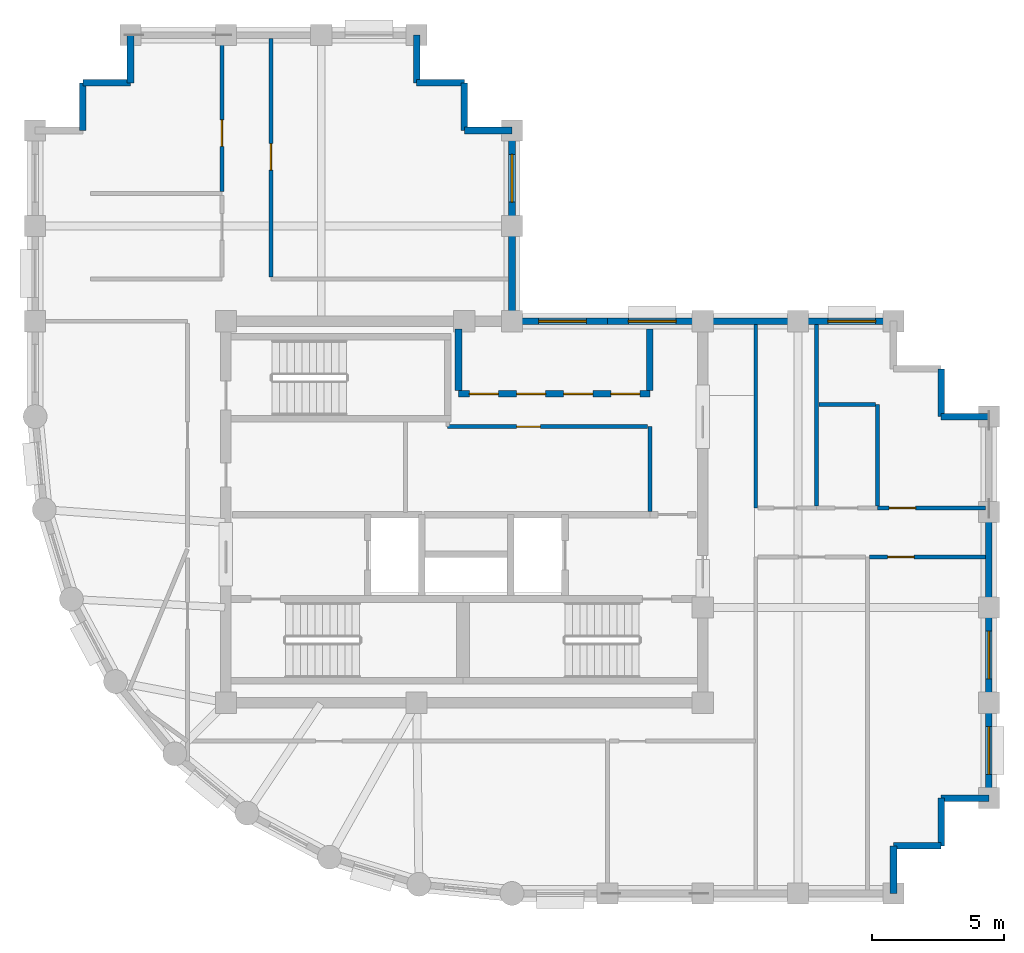
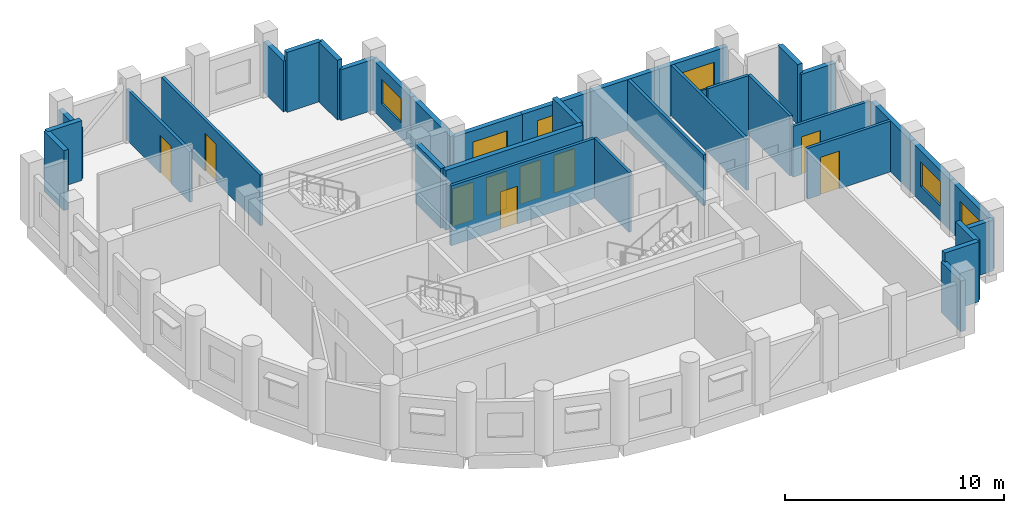
# One storey, part 4 of 7: 35 walls, 9 doors, 6 windows, 15 openings.
"""IFC4 building model written with IfcOpenShell, lengths in metres."""

from ifc_helpers import new_model, si_unit, direction, frame, frame_2d, origin, place, context, subcontext, project, spatial, rectangle, extrude, material, layer, layer_set, type_object, element, fill, save


model = new_model("IFC4")

# Units and contexts
model_context = context("Model", 3, precision=1e-05, world=origin(), true_north=direction((0.0, 1.0)))
body_context = subcontext(model_context, "Body", "Model", "MODEL_VIEW")
ifc_project = project(units=[si_unit("LENGTHUNIT", "METRE"), si_unit("AREAUNIT", "SQUARE_METRE"), si_unit("VOLUMEUNIT", "CUBIC_METRE"), si_unit("PLANEANGLEUNIT", "RADIAN"), si_unit("MASSUNIT", "GRAM", prefix="KILO")], contexts=[model_context])

# Site, building, storey
site_placement = place(None, origin())
site = spatial("IfcSite", under=ifc_project, at=site_placement, CompositionType="ELEMENT")
building_placement = place(site_placement, origin())
building = spatial("IfcBuilding", under=site, at=building_placement, Name="Solnavia Interchange Tower", CompositionType="ELEMENT")
storey_placement = place(building_placement, frame((0.0, 0.0, 259.39990234375)))
storey = spatial("IfcBuildingStorey", under=building, at=storey_placement, Name="L65", CompositionType="ELEMENT", Elevation=259.39990234375)

# Walls
ifc_material_1 = material(Name="Concrete C40/50", Category="concrete")
ifc_layer_1 = layer(ifc_material_1, 0.25)
ifc_layer_set_1 = layer_set([ifc_layer_1], Name="Concrete C40/50")
wall_type_1 = type_object("IfcWallType", Name="Wall-ExtSpandrel-250", PredefinedType="STANDARD", material=ifc_layer_set_1)
wall_1_placement = place(storey_placement, frame((39.60009765625, 5.39990234375, 0.0), z_axis=(0.0, 0.0, 1.0), x_axis=(0.0, -1.0, 0.0)))
element("IfcWall", 1, at=wall_1_placement, inside=storey, type_object=wall_type_1, Name="EXW-L65-05 Exterior precast spandrel wall", PredefinedType="STANDARD", context=body_context, shape_type="SweptSolid", body=[
    extrude(rectangle(XDim=1.7998046875, YDim=0.25, at=frame_2d((0.89990234375, 0.0))), origin(), (0.0, 0.0, 1.0), 2.830078125),
])
wall_2_placement = place(storey_placement, frame((41.39990234375, 5.39990234375, 0.0), z_axis=(0.0, 0.0, 1.0), x_axis=(-1.0, 0.0, 0.0)))
element("IfcWall", 2, at=wall_2_placement, inside=storey, type_object=wall_type_1, Name="EXW-L65-06 Exterior precast spandrel wall", PredefinedType="STANDARD", context=body_context, shape_type="SweptSolid", body=[
    extrude(rectangle(XDim=1.7998046875, YDim=0.25, at=frame_2d((0.89990234375, 0.0))), origin(), (0.0, 0.0, 1.0), 3.335205078125),
])
wall_3_placement = place(storey_placement, frame((41.39990234375, 7.199951171875, 0.0), z_axis=(0.0, 0.0, 1.0), x_axis=(0.0, -1.0, 0.0)))
element("IfcWall", 3, at=wall_3_placement, inside=storey, type_object=wall_type_1, Name="EXW-L65-07 Exterior precast spandrel wall", PredefinedType="STANDARD", context=body_context, shape_type="SweptSolid", body=[
    extrude(rectangle(XDim=1.800048828125, YDim=0.25, at=frame_2d((0.89990234375, 0.0))), origin(), (0.0, 0.0, 1.0), 3.335205078125),
])
wall_4_placement = place(storey_placement, frame((43.199951171875, 7.199951171875, 0.0), z_axis=(0.0, 0.0, 1.0), x_axis=(-1.0, 0.0, 0.0)))
element("IfcWall", 4, at=wall_4_placement, inside=storey, type_object=wall_type_1, Name="EXW-L65-08 Exterior precast spandrel wall", PredefinedType="STANDARD", context=body_context, shape_type="SweptSolid", body=[
    extrude(rectangle(XDim=1.800048828125, YDim=0.25, at=frame_2d((0.89990234375, 0.0))), origin(), (0.0, 0.0, 1.0), 2.830078125),
])

# Wall, opening, window
wall_5_placement = place(storey_placement, frame((43.199951171875, 10.800048828125, 0.0), z_axis=(0.0, 0.0, 1.0), x_axis=(0.0, -1.0, 0.0)))
wall_5 = element("IfcWall", 5, at=wall_5_placement, inside=storey, type_object=wall_type_1, Name="EXW-L65-09 Exterior precast spandrel wall", PredefinedType="STANDARD", context=body_context, shape_type="SweptSolid", body=[
    extrude(rectangle(XDim=3.60009765625, YDim=0.25, at=frame_2d((1.800048828125, 0.0))), origin(), (0.0, 0.0, 1.0), 2.830078125),
])
opening_1_placement = place(wall_5_placement, frame((0.89990234375, 0.0, 0.85009765625)))
opening_1 = element("IfcOpeningElement", 6, at=opening_1_placement, cuts=wall_5, Name="Opening WIN-02", PredefinedType="OPENING", context=body_context, shape_type="SweptSolid", body=[
    extrude(rectangle(XDim=1.800048828125, YDim=1.35009765625, at=frame_2d((0.89990234375, 0.675048828125))), frame((0.0, 0.135009765625, 0.0), z_axis=(0.0, -1.0, 0.0), x_axis=(1.0, 0.0, 0.0)), (0.0, 0.0, 1.0), 0.27001953125),
])
ifc_material_2 = material(Name="Thermal-Break Aluminium & Low-E Glass", Category="aluminium")
window_type = type_object("IfcWindowType", Name="Window-Ribbon-1800x1350", PartitioningType="SINGLE_PANEL", PredefinedType="WINDOW", material=ifc_material_2)
window_1_placement = place(opening_1_placement, origin())
window_1 = element("IfcWindow", 7, at=window_1_placement, inside=storey, type_object=window_type, Name="WIN-L65-09 Facade ribbon window", OverallHeight=1.35009765625, OverallWidth=1.800048828125, PartitioningType="SINGLE_PANEL", PredefinedType="WINDOW", context=body_context, shape_type="SweptSolid", body=[
    extrude(rectangle(XDim=1.800048828125, YDim=1.35009765625, at=frame_2d((0.89990234375, 0.675048828125))), frame((0.0, 0.030029296875, 0.0), z_axis=(0.0, -1.0, 0.0), x_axis=(1.0, 0.0, 0.0)), (0.0, 0.0, 1.0), 0.06005859375),
])
fill(opening_1, window_1)

wall_6_placement = place(storey_placement, frame((43.199951171875, 14.39990234375, 0.0), z_axis=(0.0, 0.0, 1.0), x_axis=(0.0, -1.0, 0.0)))
wall_6 = element("IfcWall", 8, at=wall_6_placement, inside=storey, type_object=wall_type_1, Name="EXW-L65-10 Exterior precast spandrel wall", PredefinedType="STANDARD", context=body_context, shape_type="SweptSolid", body=[
    extrude(rectangle(XDim=3.599853515625, YDim=0.25, at=frame_2d((1.7998046875, 0.0))), origin(), (0.0, 0.0, 1.0), 2.830078125),
])
opening_2_placement = place(wall_6_placement, frame((0.89990234375, 0.0, 0.85009765625)))
opening_2 = element("IfcOpeningElement", 9, at=opening_2_placement, cuts=wall_6, Name="Opening WIN-02", PredefinedType="OPENING", context=body_context, shape_type="SweptSolid", body=[
    extrude(rectangle(XDim=1.800048828125, YDim=1.35009765625, at=frame_2d((0.89990234375, 0.675048828125))), frame((0.0, 0.135009765625, 0.0), z_axis=(0.0, -1.0, 0.0), x_axis=(1.0, 0.0, 0.0)), (0.0, 0.0, 1.0), 0.27001953125),
])
window_2_placement = place(opening_2_placement, origin())
window_2 = element("IfcWindow", 10, at=window_2_placement, inside=storey, type_object=window_type, Name="WIN-L65-10 Facade ribbon window", OverallHeight=1.35009765625, OverallWidth=1.800048828125, PartitioningType="SINGLE_PANEL", PredefinedType="WINDOW", context=body_context, shape_type="SweptSolid", body=[
    extrude(rectangle(XDim=1.800048828125, YDim=1.35009765625, at=frame_2d((0.89990234375, 0.675048828125))), frame((0.0, 0.030029296875, 0.0), z_axis=(0.0, -1.0, 0.0), x_axis=(1.0, 0.0, 0.0)), (0.0, 0.0, 1.0), 0.06005859375),
])
fill(opening_2, window_2)

# Walls
wall_7_placement = place(storey_placement, frame((43.199951171875, 18.0, 0.0), z_axis=(0.0, 0.0, 1.0), x_axis=(0.0, -1.0, 0.0)))
element("IfcWall", 11, at=wall_7_placement, inside=storey, type_object=wall_type_1, Name="EXW-L65-11 Exterior precast spandrel wall", PredefinedType="STANDARD", context=body_context, shape_type="SweptSolid", body=[
    extrude(rectangle(XDim=3.60009765625, YDim=0.25, at=frame_2d((1.800048828125, 0.0))), origin(), (0.0, 0.0, 1.0), 2.830078125),
])
wall_8_placement = place(storey_placement, frame((41.39990234375, 21.60009765625, 0.0), z_axis=(0.0, 0.0, 1.0), x_axis=(1.0, 0.0, 0.0)))
element("IfcWall", 12, at=wall_8_placement, inside=storey, type_object=wall_type_1, Name="EXW-L65-13 Exterior precast spandrel wall", PredefinedType="STANDARD", context=body_context, shape_type="SweptSolid", body=[
    extrude(rectangle(XDim=1.800048828125, YDim=0.25, at=frame_2d((0.89990234375, 0.0))), origin(), (0.0, 0.0, 1.0), 2.830078125),
])
wall_9_placement = place(storey_placement, frame((41.39990234375, 23.39990234375, 0.0), z_axis=(0.0, 0.0, 1.0), x_axis=(0.0, -1.0, 0.0)))
element("IfcWall", 13, at=wall_9_placement, inside=storey, type_object=wall_type_1, Name="EXW-L65-14 Exterior precast spandrel wall", PredefinedType="STANDARD", context=body_context, shape_type="SweptSolid", body=[
    extrude(rectangle(XDim=1.7998046875, YDim=0.25, at=frame_2d((0.89990234375, 0.0))), origin(), (0.0, 0.0, 1.0), 3.335205078125),
])

# Wall, opening, window
wall_10_placement = place(storey_placement, frame((36.0, 25.199951171875, 0.0), z_axis=(0.0, 0.0, 1.0), x_axis=(1.0, 0.0, 0.0)))
wall_10 = element("IfcWall", 14, at=wall_10_placement, inside=storey, type_object=wall_type_1, Name="EXW-L65-17 Exterior precast spandrel wall", PredefinedType="STANDARD", context=body_context, shape_type="SweptSolid", body=[
    extrude(rectangle(XDim=3.60009765625, YDim=0.25, at=frame_2d((1.800048828125, 0.0))), origin(), (0.0, 0.0, 1.0), 2.830078125),
])
opening_3_placement = place(wall_10_placement, frame((1.1201171875, 0.0, 0.85009765625)))
opening_3 = element("IfcOpeningElement", 15, at=opening_3_placement, cuts=wall_10, Name="Opening WIN-02", PredefinedType="OPENING", context=body_context, shape_type="SweptSolid", body=[
    extrude(rectangle(XDim=1.800048828125, YDim=1.35009765625, at=frame_2d((0.89990234375, 0.675048828125))), frame((0.0, 0.135009765625, 0.0), z_axis=(0.0, -1.0, 0.0), x_axis=(1.0, 0.0, 0.0)), (0.0, 0.0, 1.0), 0.27001953125),
])
window_3_placement = place(opening_3_placement, origin())
window_3 = element("IfcWindow", 16, at=window_3_placement, inside=storey, type_object=window_type, Name="WIN-L65-17 Facade ribbon window", OverallHeight=1.35009765625, OverallWidth=1.800048828125, PartitioningType="SINGLE_PANEL", PredefinedType="WINDOW", context=body_context, shape_type="SweptSolid", body=[
    extrude(rectangle(XDim=1.800048828125, YDim=1.35009765625, at=frame_2d((0.89990234375, 0.675048828125))), frame((0.0, 0.030029296875, 0.0), z_axis=(0.0, -1.0, 0.0), x_axis=(1.0, 0.0, 0.0)), (0.0, 0.0, 1.0), 0.06005859375),
])
fill(opening_3, window_3)

# Wall
wall_11_placement = place(storey_placement, frame((32.39990234375, 25.199951171875, 0.0), z_axis=(0.0, 0.0, 1.0), x_axis=(1.0, 0.0, 0.0)))
element("IfcWall", 17, at=wall_11_placement, inside=storey, type_object=wall_type_1, Name="EXW-L65-18 Exterior precast spandrel wall", PredefinedType="STANDARD", context=body_context, shape_type="SweptSolid", body=[
    extrude(rectangle(XDim=3.60009765625, YDim=0.25, at=frame_2d((1.800048828125, 0.0))), origin(), (0.0, 0.0, 1.0), 2.830078125),
])

# Wall, opening, window
wall_12_placement = place(storey_placement, frame((28.800048828125, 25.199951171875, 0.0), z_axis=(0.0, 0.0, 1.0), x_axis=(1.0, 0.0, 0.0)))
wall_12 = element("IfcWall", 18, at=wall_12_placement, inside=storey, type_object=wall_type_1, Name="EXW-L65-19 Exterior precast spandrel wall", PredefinedType="STANDARD", context=body_context, shape_type="SweptSolid", body=[
    extrude(rectangle(XDim=3.599853515625, YDim=0.25, at=frame_2d((1.7998046875, 0.0))), origin(), (0.0, 0.0, 1.0), 2.830078125),
])
opening_4_placement = place(wall_12_placement, frame((0.794921875, 0.0, 0.85009765625)))
opening_4 = element("IfcOpeningElement", 19, at=opening_4_placement, cuts=wall_12, Name="Opening WIN-02", PredefinedType="OPENING", context=body_context, shape_type="SweptSolid", body=[
    extrude(rectangle(XDim=1.800048828125, YDim=1.35009765625, at=frame_2d((0.89990234375, 0.675048828125))), frame((0.0, 0.135009765625, 0.0), z_axis=(0.0, -1.0, 0.0), x_axis=(1.0, 0.0, 0.0)), (0.0, 0.0, 1.0), 0.27001953125),
])
window_4_placement = place(opening_4_placement, origin())
window_4 = element("IfcWindow", 20, at=window_4_placement, inside=storey, type_object=window_type, Name="WIN-L65-19 Facade ribbon window", OverallHeight=1.35009765625, OverallWidth=1.800048828125, PartitioningType="SINGLE_PANEL", PredefinedType="WINDOW", context=body_context, shape_type="SweptSolid", body=[
    extrude(rectangle(XDim=1.800048828125, YDim=1.35009765625, at=frame_2d((0.89990234375, 0.675048828125))), frame((0.0, 0.030029296875, 0.0), z_axis=(0.0, -1.0, 0.0), x_axis=(1.0, 0.0, 0.0)), (0.0, 0.0, 1.0), 0.06005859375),
])
fill(opening_4, window_4)

wall_13_placement = place(storey_placement, frame((25.199951171875, 25.199951171875, 0.0), z_axis=(0.0, 0.0, 1.0), x_axis=(1.0, 0.0, 0.0)))
wall_13 = element("IfcWall", 21, at=wall_13_placement, inside=storey, type_object=wall_type_1, Name="EXW-L65-20 Exterior precast spandrel wall", PredefinedType="STANDARD", context=body_context, shape_type="SweptSolid", body=[
    extrude(rectangle(XDim=3.60009765625, YDim=0.25, at=frame_2d((1.800048828125, 0.0))), origin(), (0.0, 0.0, 1.0), 2.830078125),
])
opening_5_placement = place(wall_13_placement, frame((1.0048828125, 0.0, 0.85009765625)))
opening_5 = element("IfcOpeningElement", 22, at=opening_5_placement, cuts=wall_13, Name="Opening WIN-02", PredefinedType="OPENING", context=body_context, shape_type="SweptSolid", body=[
    extrude(rectangle(XDim=1.800048828125, YDim=1.35009765625, at=frame_2d((0.89990234375, 0.675048828125))), frame((0.0, 0.135009765625, 0.0), z_axis=(0.0, -1.0, 0.0), x_axis=(1.0, 0.0, 0.0)), (0.0, 0.0, 1.0), 0.27001953125),
])
window_5_placement = place(opening_5_placement, origin())
window_5 = element("IfcWindow", 23, at=window_5_placement, inside=storey, type_object=window_type, Name="WIN-L65-20 Facade ribbon window", OverallHeight=1.35009765625, OverallWidth=1.800048828125, PartitioningType="SINGLE_PANEL", PredefinedType="WINDOW", context=body_context, shape_type="SweptSolid", body=[
    extrude(rectangle(XDim=1.800048828125, YDim=1.35009765625, at=frame_2d((0.89990234375, 0.675048828125))), frame((0.0, 0.030029296875, 0.0), z_axis=(0.0, -1.0, 0.0), x_axis=(1.0, 0.0, 0.0)), (0.0, 0.0, 1.0), 0.06005859375),
])
fill(opening_5, window_5)

# Wall
wall_14_placement = place(storey_placement, frame((25.199951171875, 28.800048828125, 0.0), z_axis=(0.0, 0.0, 1.0), x_axis=(0.0, -1.0, 0.0)))
element("IfcWall", 24, at=wall_14_placement, inside=storey, type_object=wall_type_1, Name="EXW-L65-21 Exterior precast spandrel wall", PredefinedType="STANDARD", context=body_context, shape_type="SweptSolid", body=[
    extrude(rectangle(XDim=3.60009765625, YDim=0.25, at=frame_2d((1.800048828125, 0.0))), origin(), (0.0, 0.0, 1.0), 2.830078125),
])

# Wall, opening, window
wall_15_placement = place(storey_placement, frame((25.199951171875, 32.39990234375, 0.0), z_axis=(0.0, 0.0, 1.0), x_axis=(0.0, -1.0, 0.0)))
wall_15 = element("IfcWall", 25, at=wall_15_placement, inside=storey, type_object=wall_type_1, Name="EXW-L65-22 Exterior precast spandrel wall", PredefinedType="STANDARD", context=body_context, shape_type="SweptSolid", body=[
    extrude(rectangle(XDim=3.599853515625, YDim=0.25, at=frame_2d((1.7998046875, 0.0))), origin(), (0.0, 0.0, 1.0), 2.830078125),
])
opening_6_placement = place(wall_15_placement, frame((0.89990234375, 0.0, 0.85009765625)))
opening_6 = element("IfcOpeningElement", 26, at=opening_6_placement, cuts=wall_15, Name="Opening WIN-02", PredefinedType="OPENING", context=body_context, shape_type="SweptSolid", body=[
    extrude(rectangle(XDim=1.800048828125, YDim=1.35009765625, at=frame_2d((0.89990234375, 0.675048828125))), frame((0.0, 0.135009765625, 0.0), z_axis=(0.0, -1.0, 0.0), x_axis=(1.0, 0.0, 0.0)), (0.0, 0.0, 1.0), 0.27001953125),
])
window_6_placement = place(opening_6_placement, origin())
window_6 = element("IfcWindow", 27, at=window_6_placement, inside=storey, type_object=window_type, Name="WIN-L65-22 Facade ribbon window", OverallHeight=1.35009765625, OverallWidth=1.800048828125, PartitioningType="SINGLE_PANEL", PredefinedType="WINDOW", context=body_context, shape_type="SweptSolid", body=[
    extrude(rectangle(XDim=1.800048828125, YDim=1.35009765625, at=frame_2d((0.89990234375, 0.675048828125))), frame((0.0, 0.030029296875, 0.0), z_axis=(0.0, -1.0, 0.0), x_axis=(1.0, 0.0, 0.0)), (0.0, 0.0, 1.0), 0.06005859375),
])
fill(opening_6, window_6)

# Walls
wall_16_placement = place(storey_placement, frame((23.39990234375, 32.39990234375, 0.0), z_axis=(0.0, 0.0, 1.0), x_axis=(1.0, 0.0, 0.0)))
element("IfcWall", 28, at=wall_16_placement, inside=storey, type_object=wall_type_1, Name="EXW-L65-23 Exterior precast spandrel wall", PredefinedType="STANDARD", context=body_context, shape_type="SweptSolid", body=[
    extrude(rectangle(XDim=1.800048828125, YDim=0.25, at=frame_2d((0.89990234375, 0.0))), origin(), (0.0, 0.0, 1.0), 2.830078125),
])
wall_17_placement = place(storey_placement, frame((23.39990234375, 32.39990234375, 0.0), z_axis=(0.0, 0.0, 1.0), x_axis=(0.0, 1.0, 0.0)))
element("IfcWall", 29, at=wall_17_placement, inside=storey, type_object=wall_type_1, Name="EXW-L65-24 Exterior precast spandrel wall", PredefinedType="STANDARD", context=body_context, shape_type="SweptSolid", body=[
    extrude(rectangle(XDim=1.800048828125, YDim=0.25, at=frame_2d((0.89990234375, 0.0))), origin(), (0.0, 0.0, 1.0), 3.335205078125),
])
wall_18_placement = place(storey_placement, frame((21.60009765625, 34.199951171875, 0.0), z_axis=(0.0, 0.0, 1.0), x_axis=(1.0, 0.0, 0.0)))
element("IfcWall", 30, at=wall_18_placement, inside=storey, type_object=wall_type_1, Name="EXW-L65-25 Exterior precast spandrel wall", PredefinedType="STANDARD", context=body_context, shape_type="SweptSolid", body=[
    extrude(rectangle(XDim=1.7998046875, YDim=0.25, at=frame_2d((0.89990234375, 0.0))), origin(), (0.0, 0.0, 1.0), 3.335205078125),
])
for number, where, z_axis, x_axis, name in (
    (31, (21.60009765625, 34.199951171875, 0.0), (0.0, 0.0, 1.0), (0.0, 1.0, 0.0), "EXW-L65-26 Exterior precast spandrel wall"),
    (32, (10.800048828125, 34.199951171875, 0.0), (0.0, 0.0, 1.0), (0.0, 1.0, 0.0), "EXW-L65-30 Exterior precast spandrel wall"),
):
    element("IfcWall", number, at=place(storey_placement, frame(where, z_axis=z_axis, x_axis=x_axis)), inside=storey, type_object=wall_type_1, Name=name, PredefinedType="STANDARD", context=body_context, shape_type="SweptSolid", body=[
        extrude(rectangle(XDim=1.800048828125, YDim=0.25, at=frame_2d((0.89990234375, 0.0))), origin(), (0.0, 0.0, 1.0), 2.830078125),
    ])
for number, where, z_axis, x_axis, name in (
    (33, (9.0, 34.199951171875, 0.0), (0.0, 0.0, 1.0), (1.0, 0.0, 0.0), "EXW-L65-31 Exterior precast spandrel wall"),
    (34, (9.0, 32.39990234375, 0.0), (0.0, 0.0, 1.0), (0.0, 1.0, 0.0), "EXW-L65-32 Exterior precast spandrel wall"),
):
    element("IfcWall", number, at=place(storey_placement, frame(where, z_axis=z_axis, x_axis=x_axis)), inside=storey, type_object=wall_type_1, Name=name, PredefinedType="STANDARD", context=body_context, shape_type="SweptSolid", body=[
        extrude(rectangle(XDim=1.800048828125, YDim=0.25, at=frame_2d((0.89990234375, 0.0))), origin(), (0.0, 0.0, 1.0), 3.335205078125),
    ])

# Wall, opening, door
ifc_material_3 = material(Name="Gypsum Plasterboard & Steel Stud", Category="steel")
ifc_layer_2 = layer(ifc_material_3, 0.14990234375)
ifc_layer_set_2 = layer_set([ifc_layer_2], Name="Gypsum Plasterboard & Steel Stud")
wall_type_2 = type_object("IfcWallType", Name="Wall-Partition-150", PredefinedType="PARTITIONING", material=ifc_layer_set_2)
wall_19_placement = place(storey_placement, frame((22.77490234375, 21.219970703125, 0.0), z_axis=(0.0, 0.0, 1.0), x_axis=(1.0, 0.0, 0.0)))
wall_19 = element("IfcWall", 35, at=wall_19_placement, inside=storey, type_object=wall_type_2, Name="CSW-L65-N-ALL Core shaft wall", PredefinedType="PARTITIONING", context=body_context, shape_type="SweptSolid", body=[
    extrude(rectangle(XDim=7.545166015625, YDim=0.14990234375, at=frame_2d((3.7724609375, 0.0))), origin(), (0.0, 0.0, 1.0), 3.335205078125),
])
opening_7_placement = place(wall_19_placement, frame((2.60009765625, 0.0, 0.0)))
opening_7 = element("IfcOpeningElement", 36, at=opening_7_placement, cuts=wall_19, Name="Opening DR-09", PredefinedType="OPENING", context=body_context, shape_type="SweptSolid", body=[
    extrude(rectangle(XDim=0.89990234375, YDim=2.10009765625, at=frame_2d((0.449951171875, 1.050048828125))), frame((0.0, 0.0849609375, 0.0), z_axis=(0.0, -1.0, 0.0), x_axis=(1.0, 0.0, 0.0)), (0.0, 0.0, 1.0), 0.169921875),
])
ifc_material_4 = material(Name="Engineered Oak Veneer Door", Category="wood")
door_type_1 = type_object("IfcDoorType", Name="Door-Internal-900x2100", OperationType="SINGLE_SWING_LEFT", PredefinedType="DOOR", material=ifc_material_4)
door_1_placement = place(opening_7_placement, origin())
door_1 = element("IfcDoor", 37, at=door_1_placement, inside=storey, type_object=door_type_1, Name="DR-L65-CS2 Core fire door", OperationType="SINGLE_SWING_RIGHT", OverallHeight=2.10009765625, OverallWidth=0.89990234375, PredefinedType="DOOR", context=body_context, shape_type="SweptSolid", body=[
    extrude(rectangle(XDim=0.89990234375, YDim=2.10009765625, at=frame_2d((0.449951171875, 1.050048828125))), frame((0.0, 0.02490234375, 0.0), z_axis=(0.0, -1.0, 0.0), x_axis=(1.0, 0.0, 0.0)), (0.0, 0.0, 1.0), 0.050048828125),
])
fill(opening_7, door_1)

# Wall
wall_20_placement = place(storey_placement, frame((30.39990234375, 18.02001953125, 0.0), z_axis=(0.0, 0.0, 1.0), x_axis=(0.0, 1.0, 0.0)))
element("IfcWall", 38, at=wall_20_placement, inside=storey, type_object=wall_type_2, Name="CSW-L65-E-E Core shaft wall", PredefinedType="PARTITIONING", context=body_context, shape_type="SweptSolid", body=[
    extrude(rectangle(XDim=3.199951171875, YDim=0.14990234375, at=frame_2d((1.60009765625, 0.0))), origin(), (0.0, 0.0, 1.0), 3.335205078125),
])

# Wall, opening, door
wall_21_placement = place(storey_placement, frame((38.698974609375, 16.300048828125, 0.0), z_axis=(0.0, 0.0, 1.0), x_axis=(1.0, 0.0, 0.0)))
wall_21 = element("IfcWall", 39, at=wall_21_placement, inside=storey, type_object=wall_type_2, Name="PTW-L65-18 Interior partition wall", PredefinedType="PARTITIONING", context=body_context, shape_type="SweptSolid", body=[
    extrude(rectangle(XDim=4.3720703125, YDim=0.14990234375, at=frame_2d((2.18603515625, 0.0))), origin(), (0.0, 0.0, 1.0), 2.830078125),
])
opening_8_placement = place(wall_21_placement, frame((0.677978515625, 0.0, 0.0)))
opening_8 = element("IfcOpeningElement", 40, at=opening_8_placement, cuts=wall_21, Name="Opening DR-07", PredefinedType="OPENING", context=body_context, shape_type="SweptSolid", body=[
    extrude(rectangle(XDim=1.0, YDim=2.10009765625, at=frame_2d((0.5, 1.050048828125))), frame((0.0, 0.0849609375, 0.0), z_axis=(0.0, -1.0, 0.0), x_axis=(1.0, 0.0, 0.0)), (0.0, 0.0, 1.0), 0.169921875),
])
ifc_material_5 = material(Name="Timber & Acoustic Glazed Office Door", Category="wood")
door_type_2 = type_object("IfcDoorType", Name="Door-Office-1000x2100", OperationType="SINGLE_SWING_RIGHT", PredefinedType="DOOR", material=ifc_material_5)
door_2_placement = place(opening_8_placement, origin())
door_2 = element("IfcDoor", 41, at=door_2_placement, inside=storey, type_object=door_type_2, Name="DR-L65-08 Interior room door", OperationType="SINGLE_SWING_RIGHT", OverallHeight=2.10009765625, OverallWidth=1.0, PredefinedType="DOOR", context=body_context, shape_type="SweptSolid", body=[
    extrude(rectangle(XDim=1.0, YDim=2.10009765625, at=frame_2d((0.5, 1.050048828125))), frame((0.0, 0.02490234375, 0.0), z_axis=(0.0, -1.0, 0.0), x_axis=(1.0, 0.0, 0.0)), (0.0, 0.0, 1.0), 0.050048828125),
])
fill(opening_8, door_2)

wall_22_placement = place(storey_placement, frame((39.0, 18.14990234375, 0.0), z_axis=(0.0, 0.0, 1.0), x_axis=(1.0, 0.0, 0.0)))
wall_22 = element("IfcWall", 42, at=wall_22_placement, inside=storey, type_object=wall_type_2, Name="PTW-L65-19 Interior partition wall", PredefinedType="PARTITIONING", context=body_context, shape_type="SweptSolid", body=[
    extrude(rectangle(XDim=4.071044921875, YDim=0.14990234375, at=frame_2d((2.03564453125, 0.0))), origin(), (0.0, 0.0, 1.0), 2.830078125),
])
opening_9_placement = place(wall_22_placement, frame((0.43798828125, 0.0, 0.0)))
opening_9 = element("IfcOpeningElement", 43, at=opening_9_placement, cuts=wall_22, Name="Opening DR-07", PredefinedType="OPENING", context=body_context, shape_type="SweptSolid", body=[
    extrude(rectangle(XDim=1.0, YDim=2.10009765625, at=frame_2d((0.5, 1.050048828125))), frame((0.0, 0.0849609375, 0.0), z_axis=(0.0, -1.0, 0.0), x_axis=(1.0, 0.0, 0.0)), (0.0, 0.0, 1.0), 0.169921875),
])
door_3_placement = place(opening_9_placement, origin())
door_3 = element("IfcDoor", 44, at=door_3_placement, inside=storey, type_object=door_type_2, Name="DR-L65-09 Interior room door", OperationType="SINGLE_SWING_RIGHT", OverallHeight=2.10009765625, OverallWidth=1.0, PredefinedType="DOOR", context=body_context, shape_type="SweptSolid", body=[
    extrude(rectangle(XDim=1.0, YDim=2.10009765625, at=frame_2d((0.5, 1.050048828125))), frame((0.0, 0.02490234375, 0.0), z_axis=(0.0, -1.0, 0.0), x_axis=(1.0, 0.0, 0.0)), (0.0, 0.0, 1.0), 0.050048828125),
])
fill(opening_9, door_3)

wall_23_placement = place(storey_placement, frame((14.25, 30.09912109375, 0.0), z_axis=(0.0, 0.0, 1.0), x_axis=(0.0, 1.0, 0.0)))
wall_23 = element("IfcWall", 45, at=wall_23_placement, inside=storey, type_object=wall_type_2, Name="PTW-L65-23 Interior partition wall", PredefinedType="PARTITIONING", context=body_context, shape_type="SweptSolid", body=[
    extrude(rectangle(XDim=5.77197265625, YDim=0.14990234375, at=frame_2d((2.885986328125, 0.0))), origin(), (0.0, 0.0, 1.0), 2.830078125),
])
opening_10_placement = place(wall_23_placement, frame((1.700927734375, 0.0, 0.0)))
opening_10 = element("IfcOpeningElement", 46, at=opening_10_placement, cuts=wall_23, Name="Opening DR-07", PredefinedType="OPENING", context=body_context, shape_type="SweptSolid", body=[
    extrude(rectangle(XDim=1.0, YDim=2.10009765625, at=frame_2d((0.5, 1.050048828125))), frame((0.0, 0.0849609375, 0.0), z_axis=(0.0, -1.0, 0.0), x_axis=(1.0, 0.0, 0.0)), (0.0, 0.0, 1.0), 0.169921875),
])
door_4_placement = place(opening_10_placement, origin())
door_4 = element("IfcDoor", 47, at=door_4_placement, inside=storey, type_object=door_type_2, Name="DR-L65-11 Interior room door", OperationType="SINGLE_SWING_RIGHT", OverallHeight=2.10009765625, OverallWidth=1.0, PredefinedType="DOOR", context=body_context, shape_type="SweptSolid", body=[
    extrude(rectangle(XDim=1.0, YDim=2.10009765625, at=frame_2d((0.5, 1.050048828125))), frame((0.0, 0.02490234375, 0.0), z_axis=(0.0, -1.0, 0.0), x_axis=(1.0, 0.0, 0.0)), (0.0, 0.0, 1.0), 0.050048828125),
])
fill(opening_10, door_4)

wall_24_placement = place(storey_placement, frame((16.10009765625, 26.87890625, 0.0), z_axis=(0.0, 0.0, 1.0), x_axis=(0.0, 1.0, 0.0)))
wall_24 = element("IfcWall", 48, at=wall_24_placement, inside=storey, type_object=wall_type_2, Name="PTW-L65-25 Interior partition wall", PredefinedType="PARTITIONING", context=body_context, shape_type="SweptSolid", body=[
    extrude(rectangle(XDim=8.9921875, YDim=0.14990234375, at=frame_2d((4.49609375, 0.0))), origin(), (0.0, 0.0, 1.0), 2.830078125),
])
opening_11_placement = place(wall_24_placement, frame((4.02099609375, 0.0, 0.0)))
opening_11 = element("IfcOpeningElement", 49, at=opening_11_placement, cuts=wall_24, Name="Opening DR-07", PredefinedType="OPENING", context=body_context, shape_type="SweptSolid", body=[
    extrude(rectangle(XDim=1.0, YDim=2.10009765625, at=frame_2d((0.5, 1.050048828125))), frame((0.0, 0.0849609375, 0.0), z_axis=(0.0, -1.0, 0.0), x_axis=(1.0, 0.0, 0.0)), (0.0, 0.0, 1.0), 0.169921875),
])
door_5_placement = place(opening_11_placement, origin())
door_5 = element("IfcDoor", 50, at=door_5_placement, inside=storey, type_object=door_type_2, Name="DR-L65-12 Interior room door", OperationType="SINGLE_SWING_LEFT", OverallHeight=2.10009765625, OverallWidth=1.0, PredefinedType="DOOR", context=body_context, shape_type="SweptSolid", body=[
    extrude(rectangle(XDim=1.0, YDim=2.10009765625, at=frame_2d((0.5, 1.050048828125))), frame((0.0, 0.02490234375, 0.0), z_axis=(0.0, -1.0, 0.0), x_axis=(1.0, 0.0, 0.0)), (0.0, 0.0, 1.0), 0.050048828125),
])
fill(opening_11, door_5)

# Wall, openings, doors
ifc_layer_3 = layer(ifc_material_1, 0.25)
ifc_layer_set_3 = layer_set([ifc_layer_3], Name="Concrete C40/50")
wall_type_3 = type_object("IfcWallType", Name="Wall-ShaftPart-250", PredefinedType="PARTITIONING", material=ifc_layer_set_3)
wall_25_placement = place(storey_placement, frame((23.179931640625, 22.4599609375, 0.0), z_axis=(0.0, 0.0, 1.0), x_axis=(1.0, 0.0, 0.0)))
wall_25 = element("IfcWall", 51, at=wall_25_placement, inside=storey, type_object=wall_type_3, Name="SHW-L65-B3S Core shaft wall", PredefinedType="PARTITIONING", context=body_context, shape_type="SweptSolid", body=[
    extrude(rectangle(XDim=7.219970703125, YDim=0.25, at=frame_2d((3.60986328125, 0.0))), origin(), (0.0, 0.0, 1.0), 3.335205078125),
])
opening_12_placement = place(wall_25_placement, frame((0.409912109375, 0.0, 0.0)))
opening_12 = element("IfcOpeningElement", 52, at=opening_12_placement, cuts=wall_25, Name="Opening LD-01", PredefinedType="OPENING", context=body_context, shape_type="SweptSolid", body=[
    extrude(rectangle(XDim=1.10009765625, YDim=2.10009765625, at=frame_2d((0.550048828125, 1.050048828125))), frame((0.0, 0.135009765625, 0.0), z_axis=(0.0, -1.0, 0.0), x_axis=(1.0, 0.0, 0.0)), (0.0, 0.0, 1.0), 0.27001953125),
])
opening_13_placement = place(wall_25_placement, frame((2.18994140625, 0.0, 0.0)))
opening_13 = element("IfcOpeningElement", 53, at=opening_13_placement, cuts=wall_25, Name="Opening LD-01", PredefinedType="OPENING", context=body_context, shape_type="SweptSolid", body=[
    extrude(rectangle(XDim=1.10009765625, YDim=2.10009765625, at=frame_2d((0.550048828125, 1.050048828125))), frame((0.0, 0.135009765625, 0.0), z_axis=(0.0, -1.0, 0.0), x_axis=(1.0, 0.0, 0.0)), (0.0, 0.0, 1.0), 0.27001953125),
])
opening_14_placement = place(wall_25_placement, frame((3.969970703125, 0.0, 0.0)))
opening_14 = element("IfcOpeningElement", 54, at=opening_14_placement, cuts=wall_25, Name="Opening LD-01", PredefinedType="OPENING", context=body_context, shape_type="SweptSolid", body=[
    extrude(rectangle(XDim=1.10009765625, YDim=2.10009765625, at=frame_2d((0.550048828125, 1.050048828125))), frame((0.0, 0.135009765625, 0.0), z_axis=(0.0, -1.0, 0.0), x_axis=(1.0, 0.0, 0.0)), (0.0, 0.0, 1.0), 0.27001953125),
])
opening_15_placement = place(wall_25_placement, frame((5.75, 0.0, 0.0)))
opening_15 = element("IfcOpeningElement", 55, at=opening_15_placement, cuts=wall_25, Name="Opening LD-01", PredefinedType="OPENING", context=body_context, shape_type="SweptSolid", body=[
    extrude(rectangle(XDim=1.10009765625, YDim=2.10009765625, at=frame_2d((0.550048828125, 1.050048828125))), frame((0.0, 0.135009765625, 0.0), z_axis=(0.0, -1.0, 0.0), x_axis=(1.0, 0.0, 0.0)), (0.0, 0.0, 1.0), 0.27001953125),
])
ifc_material_6 = material(Name="Brushed Stainless Steel Sliding Door", Category="steel")
door_type_3 = type_object("IfcDoorType", Name="Door-LiftLanding-1100x2100", OperationType="SLIDING_TO_LEFT", PredefinedType="DOOR", material=ifc_material_6)
door_6_placement = place(opening_12_placement, origin())
door_6 = element("IfcDoor", 56, at=door_6_placement, inside=storey, type_object=door_type_3, Name="LD-L65-B3-1 Lift landing sliding door", OperationType="SLIDING_TO_LEFT", OverallHeight=2.10009765625, OverallWidth=1.10009765625, PredefinedType="DOOR", context=body_context, shape_type="SweptSolid", body=[
    extrude(rectangle(XDim=1.10009765625, YDim=2.10009765625, at=frame_2d((0.550048828125, 1.050048828125))), frame((0.0, 0.02490234375, 0.0), z_axis=(0.0, -1.0, 0.0), x_axis=(1.0, 0.0, 0.0)), (0.0, 0.0, 1.0), 0.050048828125),
])
fill(opening_12, door_6)
door_7_placement = place(opening_13_placement, origin())
door_7 = element("IfcDoor", 57, at=door_7_placement, inside=storey, type_object=door_type_3, Name="LD-L65-B3-2 Lift landing sliding door", OperationType="SLIDING_TO_LEFT", OverallHeight=2.10009765625, OverallWidth=1.10009765625, PredefinedType="DOOR", context=body_context, shape_type="SweptSolid", body=[
    extrude(rectangle(XDim=1.10009765625, YDim=2.10009765625, at=frame_2d((0.550048828125, 1.050048828125))), frame((0.0, 0.02490234375, 0.0), z_axis=(0.0, -1.0, 0.0), x_axis=(1.0, 0.0, 0.0)), (0.0, 0.0, 1.0), 0.050048828125),
])
fill(opening_13, door_7)
door_8_placement = place(opening_14_placement, origin())
door_8 = element("IfcDoor", 58, at=door_8_placement, inside=storey, type_object=door_type_3, Name="LD-L65-B3-3 Lift landing sliding door", OperationType="SLIDING_TO_LEFT", OverallHeight=2.10009765625, OverallWidth=1.10009765625, PredefinedType="DOOR", context=body_context, shape_type="SweptSolid", body=[
    extrude(rectangle(XDim=1.10009765625, YDim=2.10009765625, at=frame_2d((0.550048828125, 1.050048828125))), frame((0.0, 0.02490234375, 0.0), z_axis=(0.0, -1.0, 0.0), x_axis=(1.0, 0.0, 0.0)), (0.0, 0.0, 1.0), 0.050048828125),
])
fill(opening_14, door_8)
door_9_placement = place(opening_15_placement, origin())
door_9 = element("IfcDoor", 59, at=door_9_placement, inside=storey, type_object=door_type_3, Name="LD-L65-B3-4 Lift landing sliding door", OperationType="SLIDING_TO_LEFT", OverallHeight=2.10009765625, OverallWidth=1.10009765625, PredefinedType="DOOR", context=body_context, shape_type="SweptSolid", body=[
    extrude(rectangle(XDim=1.10009765625, YDim=2.10009765625, at=frame_2d((0.550048828125, 1.050048828125))), frame((0.0, 0.02490234375, 0.0), z_axis=(0.0, -1.0, 0.0), x_axis=(1.0, 0.0, 0.0)), (0.0, 0.0, 1.0), 0.050048828125),
])
fill(opening_15, door_9)

# Walls
for number, where, z_axis, x_axis, name in (
    (60, (23.179931640625, 22.5849609375, 0.0), (0.0, 0.0, 1.0), (0.0, 1.0, 0.0), "SHW-L65-B3W Core shaft wall"),
    (61, (30.39990234375, 22.5849609375, 0.0), (0.0, 0.0, 1.0), (0.0, 1.0, 0.0), "SHW-L65-B3E Core shaft wall"),
):
    element("IfcWall", number, at=place(storey_placement, frame(where, z_axis=z_axis, x_axis=x_axis)), inside=storey, type_object=wall_type_3, Name=name, PredefinedType="PARTITIONING", context=body_context, shape_type="SweptSolid", body=[
        extrude(rectangle(XDim=2.31494140625, YDim=0.25, at=frame_2d((1.157470703125, 0.0))), origin(), (0.0, 0.0, 1.0), 3.335205078125),
    ])
ifc_material_7 = material(Name="Moisture-Resistant Gypsum & Steel Stud", Category="steel")
ifc_layer_4 = layer(ifc_material_7, 0.14990234375)
ifc_layer_set_4 = layer_set([ifc_layer_4], Name="Moisture-Resistant Gypsum & Steel Stud")
wall_type_4 = type_object("IfcWallType", Name="Wall-WetRoom-150", PredefinedType="PARTITIONING", material=ifc_layer_set_4)
wall_26_placement = place(storey_placement, frame((34.39990234375, 18.14990234375, 0.0), z_axis=(0.0, 0.0, 1.0), x_axis=(0.0, 1.0, 0.0)))
element("IfcWall", 62, at=wall_26_placement, inside=storey, type_object=wall_type_4, Name="PTW-L65-01 Interior partition wall", PredefinedType="PARTITIONING", context=body_context, shape_type="SweptSolid", body=[
    extrude(rectangle(XDim=6.921142578125, YDim=0.14990234375, at=frame_2d((3.46044921875, 0.0))), origin(), (0.0, 0.0, 1.0), 2.830078125),
])
wall_27_placement = place(storey_placement, frame((36.699951171875, 18.22900390625, 0.0), z_axis=(0.0, 0.0, 1.0), x_axis=(0.0, 1.0, 0.0)))
element("IfcWall", 63, at=wall_27_placement, inside=storey, type_object=wall_type_4, Name="PTW-L65-03 Interior partition wall", PredefinedType="PARTITIONING", context=body_context, shape_type="SweptSolid", body=[
    extrude(rectangle(XDim=6.842041015625, YDim=0.14990234375, at=frame_2d((3.4208984375, 0.0))), origin(), (0.0, 0.0, 1.0), 2.830078125),
])
wall_28_placement = place(storey_placement, frame((39.0, 18.22900390625, 0.0), z_axis=(0.0, 0.0, 1.0), x_axis=(0.0, 1.0, 0.0)))
element("IfcWall", 64, at=wall_28_placement, inside=storey, type_object=wall_type_4, Name="PTW-L65-05 Interior partition wall", PredefinedType="PARTITIONING", context=body_context, shape_type="SweptSolid", body=[
    extrude(rectangle(XDim=3.821044921875, YDim=0.14990234375, at=frame_2d((1.91064453125, 0.0))), origin(), (0.0, 0.0, 1.0), 3.335205078125),
])
wall_29_placement = place(storey_placement, frame((36.779052734375, 22.050048828125, 0.0), z_axis=(0.0, 0.0, 1.0), x_axis=(1.0, 0.0, 0.0)))
element("IfcWall", 65, at=wall_29_placement, inside=storey, type_object=wall_type_4, Name="PTW-L65-06 Interior partition wall", PredefinedType="PARTITIONING", context=body_context, shape_type="SweptSolid", body=[
    extrude(rectangle(XDim=2.141845703125, YDim=0.14990234375, at=frame_2d((1.07080078125, 0.0))), origin(), (0.0, 0.0, 1.0), 3.335205078125),
])

save(model, "model.ifc")
